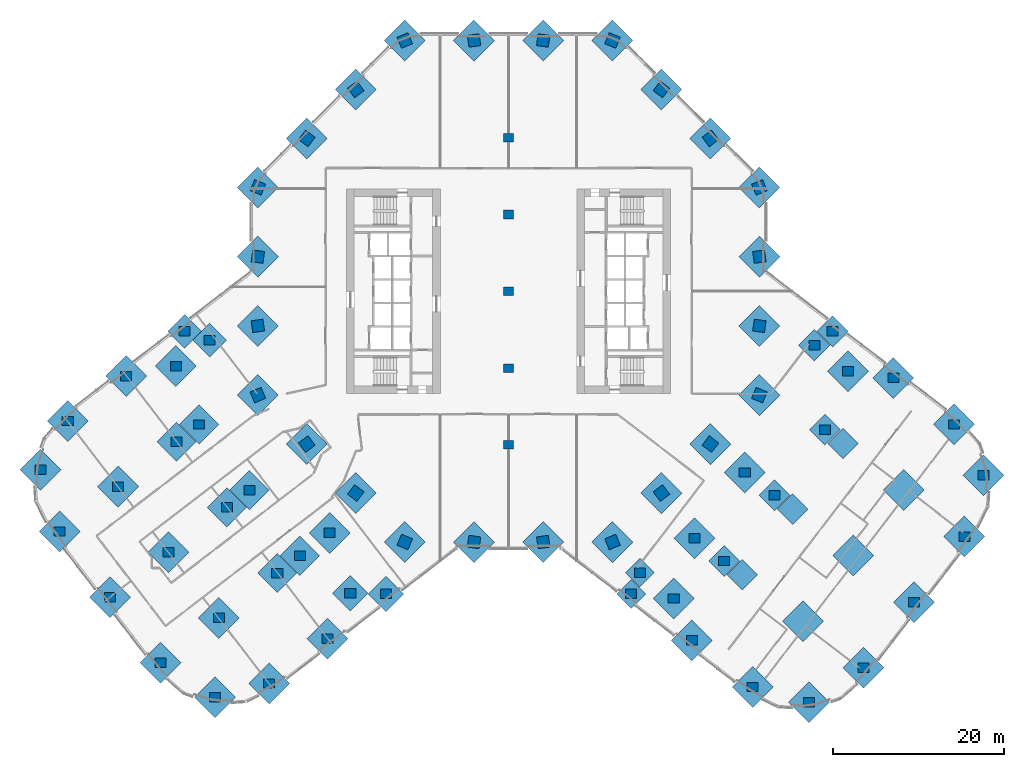
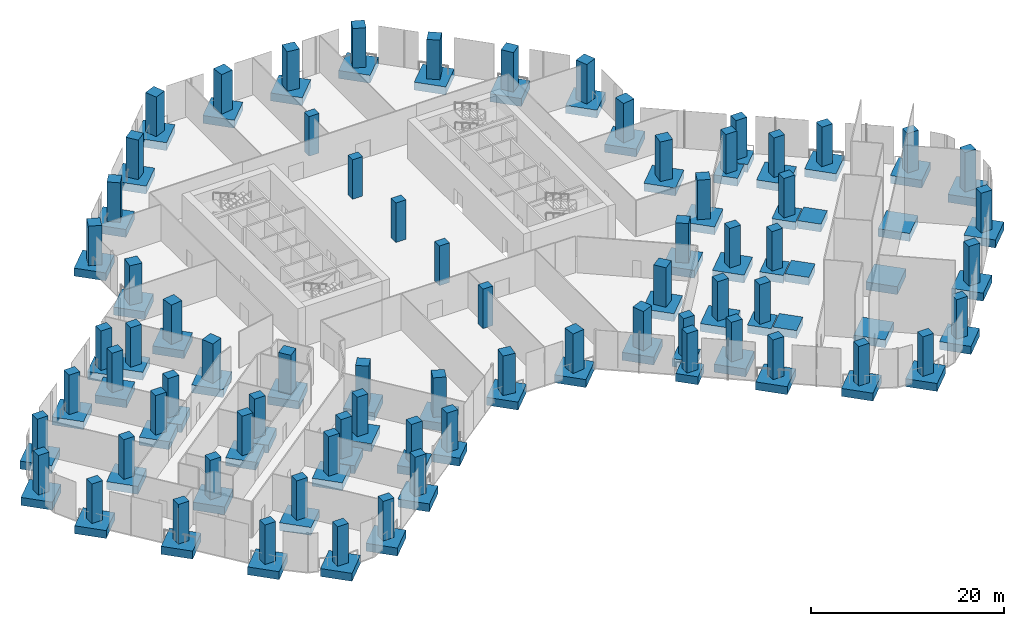
# One storey, part 1 of 27: 147 columns.
"""IFC4 building model written with IfcOpenShell, lengths in metres."""

from ifc_helpers import new_model, si_unit, direction, frame, origin, origin_2d, place, context, subcontext, project, spatial, rectangle, extrude, material, material_profile, profile_set, type_object, element, save


model = new_model("IFC4")

# Units and contexts
model_context = context("Model", 3, precision=1e-05, world=origin(), true_north=direction((0.0, 1.0)))
body_context = subcontext(model_context, "Body", "Model", "MODEL_VIEW")
ifc_project = project(units=[si_unit("LENGTHUNIT", "METRE"), si_unit("AREAUNIT", "SQUARE_METRE"), si_unit("VOLUMEUNIT", "CUBIC_METRE"), si_unit("PLANEANGLEUNIT", "RADIAN"), si_unit("MASSUNIT", "GRAM", prefix="KILO")], contexts=[model_context])

# Site, building, storey
site_placement = place(None, origin())
site = spatial("IfcSite", under=ifc_project, at=site_placement, CompositionType="ELEMENT")
building_placement = place(site_placement, origin())
building = spatial("IfcBuilding", under=site, at=building_placement, Name="Orlundy Tower", CompositionType="ELEMENT")
storey_placement = place(building_placement, frame((0.0, 0.0, 10.5)))
storey = spatial("IfcBuildingStorey", under=building, at=storey_placement, Name="L01", CompositionType="ELEMENT", Elevation=10.5)

# Columns
ifc_material_1 = material(Name="Concrete C80/95", Category="concrete")
ifc_material_profile_1 = material_profile(ifc_material_1, rectangle(XDim=1.199951171875, YDim=1.0, at=origin_2d()), Name="RC1200X1000")
ifc_profile_set_1 = profile_set([ifc_material_profile_1], Name="Concrete C80/95")
column_type_1 = type_object("IfcColumnType", Name="RC COLUMN RC1200X1000 C80/95", PredefinedType="COLUMN", material=ifc_profile_set_1)
for number, where, z_axis, x_axis, name in (
    (1, (0.0, -18.0, 0.0), (0.0, 0.0, 1.0), (1.0, 0.0, 0.0), "Column C-M1 L01"),
    (2, (0.0, -9.0, 0.0), (0.0, 0.0, 1.0), (1.0, 0.0, 0.0), "Column C-M2 L01"),
    (3, (0.0, 0.0, 0.0), (0.0, 0.0, 1.0), (1.0, 0.0, 0.0), "Column C-M3 L01"),
    (4, (0.0, 9.0, 0.0), (0.0, 0.0, 1.0), (1.0, 0.0, 0.0), "Column C-M4 L01"),
    (5, (0.0, 18.0, 0.0), (0.0, 0.0, 1.0), (1.0, 0.0, 0.0), "Column C-M5 L01"),
):
    element("IfcColumn", number, at=place(storey_placement, frame(where, z_axis=z_axis, x_axis=x_axis)), inside=storey, type_object=column_type_1, Name=name, PredefinedType="COLUMN", context=body_context, shape_type="SweptSolid", body=[
        extrude(rectangle(XDim=1.199951171875, YDim=1.0, at=origin_2d()), origin(), (0.0, 0.0, 1.0), 5.0),
    ])
ifc_material_2 = material(Name="Concrete C80/95", Category="concrete")
ifc_material_profile_2 = material_profile(ifc_material_2, rectangle(XDim=1.300048828125, YDim=1.10009765625, at=origin_2d()), Name="RC1300X1100")
ifc_profile_set_2 = profile_set([ifc_material_profile_2], Name="Concrete C80/95")
column_type_2 = type_object("IfcColumnType", Name="RC COLUMN RC1300X1100 C80/95", PredefinedType="COLUMN", material=ifc_profile_set_2)
for number, where, z_axis, x_axis, name in (
    (6, (14.37109375, -35.47998046875, 0.0), (0.0, 0.0, 1.0), (1.0, 0.0, 0.0), "Column C-A1-1 L01"),
    (7, (21.48388671875, -40.93896484375, 0.0), (0.0, 0.0, 1.0), (1.0, 0.0, 0.0), "Column C-A1-2 L01"),
    (8, (28.597900390625, -46.39697265625, 0.0), (0.0, 0.0, 1.0), (1.0, 0.0, 0.0), "Column C-A1-3 L01"),
    (9, (35.23095703125, -48.200927734375, 0.0), (0.0, 0.0, 1.0), (1.0, 0.0, 0.0), "Column C-A1-5 L01"),
    (10, (19.364013671875, -36.02587890625, 0.0), (0.0, 0.0, 1.0), (1.0, 0.0, 0.0), "Column C-A1-6 L01"),
    (11, (15.39697265625, -32.98193359375, 0.0), (0.0, 0.0, 1.0), (1.0, 0.0, 0.0), "Column C-A1-7 L01"),
    (12, (41.616943359375, -44.159912109375, 0.0), (0.0, 0.0, 1.0), (1.0, 0.0, 0.0), "Column C-A2-5 L01"),
    (13, (25.27392578125, -31.6201171875, 0.0), (0.0, 0.0, 1.0), (1.0, 0.0, 0.0), "Column C-A2-6 L01"),
    (14, (21.782958984375, -28.94091796875, 0.0), (0.0, 0.0, 1.0), (1.0, 0.0, 0.0), "Column C-A2-7 L01"),
    (15, (47.52197265625, -36.465087890625, 0.0), (0.0, 0.0, 1.0), (1.0, 0.0, 0.0), "Column C-A3-5 L01"),
    (16, (31.178955078125, -23.924072265625, 0.0), (0.0, 0.0, 1.0), (1.0, 0.0, 0.0), "Column C-A3-6 L01"),
    (17, (27.68798828125, -21.24609375, 0.0), (0.0, 0.0, 1.0), (1.0, 0.0, 0.0), "Column C-A3-7 L01"),
    (18, (53.427001953125, -28.76904296875, 0.0), (0.0, 0.0, 1.0), (1.0, 0.0, 0.0), "Column C-A4-5 L01"),
    (19, (37.083984375, -16.22900390625, 0.0), (0.0, 0.0, 1.0), (1.0, 0.0, 0.0), "Column C-A4-6 L01"),
    (20, (37.990966796875, -4.697998046875, 0.0), (0.0, 0.0, 1.0), (1.0, 0.0, 0.0), "Column C-A5-1 L01"),
    (21, (45.10400390625, -10.156982421875, 0.0), (0.0, 0.0, 1.0), (1.0, 0.0, 0.0), "Column C-A5-2 L01"),
    (22, (52.218017578125, -15.614990234375, 0.0), (0.0, 0.0, 1.0), (1.0, 0.0, 0.0), "Column C-A5-3 L01"),
    (23, (55.677001953125, -21.554931640625, 0.0), (0.0, 0.0, 1.0), (1.0, 0.0, 0.0), "Column C-A5-5 L01"),
    (24, (39.81005859375, -9.3798828125, 0.0), (0.0, 0.0, 1.0), (1.0, 0.0, 0.0), "Column C-A5-6 L01"),
    (25, (35.843017578125, -6.3359375, 0.0), (0.0, 0.0, 1.0), (1.0, 0.0, 0.0), "Column C-A5-7 L01"),
    (26, (-37.990966796875, -4.697998046875, 0.0), (0.0, 0.0, 1.0), (1.0, 0.0, 0.0), "Column C-B1-1 L01"),
    (27, (-44.840087890625, -9.9541015625, 0.0), (0.0, 0.0, 1.0), (1.0, 0.0, 0.0), "Column C-B1-2 L01"),
    (28, (-51.68701171875, -15.2119140625, 0.0), (0.0, 0.0, 1.0), (1.0, 0.0, 0.0), "Column C-B1-3 L01"),
    (29, (-54.884033203125, -20.946044921875, 0.0), (0.0, 0.0, 1.0), (1.0, 0.0, 0.0), "Column C-B1-5 L01"),
    (30, (-39.01611328125, -8.77099609375, 0.0), (0.0, 0.0, 1.0), (1.0, 0.0, 0.0), "Column C-B1-6 L01"),
    (31, (-35.050048828125, -5.72705078125, 0.0), (0.0, 0.0, 1.0), (1.0, 0.0, 0.0), "Column C-B1-7 L01"),
    (32, (-38.93505859375, -17.64892578125, 0.0), (0.0, 0.0, 1.0), (1.0, 0.0, 0.0), "Column C-B2-2 L01"),
    (33, (-45.783935546875, -22.905029296875, 0.0), (0.0, 0.0, 1.0), (1.0, 0.0, 0.0), "Column C-B2-3 L01"),
    (34, (-52.633056640625, -28.160888671875, 0.0), (0.0, 0.0, 1.0), (1.0, 0.0, 0.0), "Column C-B2-5 L01"),
    (35, (-36.2900390625, -15.6201171875, 0.0), (0.0, 0.0, 1.0), (1.0, 0.0, 0.0), "Column C-B2-6 L01"),
    (36, (-33.030029296875, -25.344970703125, 0.0), (0.0, 0.0, 1.0), (1.0, 0.0, 0.0), "Column C-B3-2 L01"),
    (37, (-39.87890625, -30.60009765625, 0.0), (0.0, 0.0, 1.0), (1.0, 0.0, 0.0), "Column C-B3-3 L01"),
    (38, (-46.72900390625, -35.85595703125, 0.0), (0.0, 0.0, 1.0), (1.0, 0.0, 0.0), "Column C-B3-5 L01"),
    (39, (-30.385009765625, -23.31591796875, 0.0), (0.0, 0.0, 1.0), (1.0, 0.0, 0.0), "Column C-B3-6 L01"),
    (40, (-27.125, -33.0400390625, 0.0), (0.0, 0.0, 1.0), (1.0, 0.0, 0.0), "Column C-B4-2 L01"),
    (41, (-33.97412109375, -38.2958984375, 0.0), (0.0, 0.0, 1.0), (1.0, 0.0, 0.0), "Column C-B4-3 L01"),
    (42, (-40.823974609375, -43.552001953125, 0.0), (0.0, 0.0, 1.0), (1.0, 0.0, 0.0), "Column C-B4-5 L01"),
    (43, (-24.47998046875, -31.010986328125, 0.0), (0.0, 0.0, 1.0), (1.0, 0.0, 0.0), "Column C-B4-6 L01"),
    (44, (-20.989990234375, -28.3330078125, 0.0), (0.0, 0.0, 1.0), (1.0, 0.0, 0.0), "Column C-B4-7 L01"),
    (45, (-14.37109375, -35.47998046875, 0.0), (0.0, 0.0, 1.0), (1.0, 0.0, 0.0), "Column C-B5-1 L01"),
    (46, (-21.219970703125, -40.736083984375, 0.0), (0.0, 0.0, 1.0), (1.0, 0.0, 0.0), "Column C-B5-2 L01"),
    (47, (-28.072021484375, -45.988037109375, 0.0), (0.0, 0.0, 1.0), (1.0, 0.0, 0.0), "Column C-B5-3 L01"),
    (48, (-34.43701171875, -47.592041015625, 0.0), (0.0, 0.0, 1.0), (1.0, 0.0, 0.0), "Column C-B5-5 L01"),
    (49, (-18.570068359375, -35.4169921875, 0.0), (0.0, 0.0, 1.0), (1.0, 0.0, 0.0), "Column C-B5-6 L01"),
):
    element("IfcColumn", number, at=place(storey_placement, frame(where, z_axis=z_axis, x_axis=x_axis)), inside=storey, type_object=column_type_2, Name=name, PredefinedType="COLUMN", context=body_context, shape_type="SweptSolid", body=[
        extrude(rectangle(XDim=1.300048828125, YDim=1.10009765625, at=origin_2d()), origin(), (0.0, 0.0, 1.0), 5.0),
    ])
ifc_material_3 = material(Name="Concrete C80/95", Category="concrete")
ifc_material_profile_3 = material_profile(ifc_material_3, rectangle(XDim=1.39990234375, YDim=1.39990234375, at=origin_2d()), Name="RC1400X1400")
ifc_profile_set_3 = profile_set([ifc_material_profile_3], Name="Concrete C80/95")
column_type_3 = type_object("IfcColumnType", Name="RC COLUMN RC1400X1400 C80/95", PredefinedType="COLUMN", material=ifc_profile_set_3)
for number, where, z_axis, x_axis, name in (
    (50, (29.39990234375, 12.177978515625, 0.0), (0.0, 0.0, 1.0), (0.923879532511, 0.382683432365, 0.0), "Column C-H01 L01"),
    (51, (29.39990234375, 4.05908203125, 0.0), (0.0, 0.0, 1.0), (0.990602789303, 0.136770295844, 0.0), "Column C-H02 L01"),
    (52, (29.39990234375, -4.05908203125, 0.0), (0.0, 0.0, 1.0), (0.990602789303, -0.136770295844, 0.0), "Column C-H03 L01"),
    (53, (29.39990234375, -12.177978515625, 0.0), (0.0, 0.0, 1.0), (0.923879532511, -0.382683432365, 0.0), "Column C-H04 L01"),
    (54, (23.658935546875, -17.9189453125, 0.0), (0.0, 0.0, 1.0), (0.797162615875, -0.603764659327, 0.0), "Column C-H05 L01"),
    (55, (17.9189453125, -23.658935546875, 0.0), (0.0, 0.0, 1.0), (0.603764659327, -0.797162615875, 0.0), "Column C-H06 L01"),
    (56, (12.177978515625, -29.39990234375, 0.0), (0.0, 0.0, 1.0), (0.382683432365, -0.923879532511, 0.0), "Column C-H07 L01"),
    (57, (4.05908203125, -29.39990234375, 0.0), (0.0, 0.0, 1.0), (0.136770295844, -0.990602789303, 0.0), "Column C-H08 L01"),
    (58, (-4.05908203125, -29.39990234375, 0.0), (0.0, 0.0, 1.0), (-0.136770295844, -0.990602789303, 0.0), "Column C-H09 L01"),
    (59, (-12.177978515625, -29.39990234375, 0.0), (0.0, 0.0, 1.0), (-0.382683432365, -0.923879532511, 0.0), "Column C-H10 L01"),
    (60, (-17.9189453125, -23.658935546875, 0.0), (0.0, 0.0, 1.0), (-0.603764659327, -0.797162615875, 0.0), "Column C-H11 L01"),
    (61, (-23.658935546875, -17.9189453125, 0.0), (0.0, 0.0, 1.0), (-0.797162615875, -0.603764659327, 0.0), "Column C-H12 L01"),
    (62, (-29.39990234375, -12.177978515625, 0.0), (0.0, 0.0, 1.0), (-0.923879532511, -0.382683432365, 0.0), "Column C-H13 L01"),
    (63, (-29.39990234375, -4.05908203125, 0.0), (0.0, 0.0, 1.0), (-0.990602789303, -0.136770295844, 0.0), "Column C-H14 L01"),
    (64, (-29.39990234375, 4.05908203125, 0.0), (0.0, 0.0, 1.0), (-0.990602789303, 0.136770295844, 0.0), "Column C-H15 L01"),
    (65, (-29.39990234375, 12.177978515625, 0.0), (0.0, 0.0, 1.0), (-0.923879532511, 0.382683432365, 0.0), "Column C-H16 L01"),
    (66, (-23.658935546875, 17.9189453125, 0.0), (0.0, 0.0, 1.0), (-0.797162615875, 0.603764659327, 0.0), "Column C-H17 L01"),
    (67, (-17.9189453125, 23.658935546875, 0.0), (0.0, 0.0, 1.0), (-0.603764659327, 0.797162615875, 0.0), "Column C-H18 L01"),
    (68, (-12.177978515625, 29.39990234375, 0.0), (0.0, 0.0, 1.0), (-0.382683432365, 0.923879532511, 0.0), "Column C-H19 L01"),
    (69, (-4.05908203125, 29.39990234375, 0.0), (0.0, 0.0, 1.0), (-0.136770295844, 0.990602789303, 0.0), "Column C-H20 L01"),
    (70, (4.05908203125, 29.39990234375, 0.0), (0.0, 0.0, 1.0), (0.136770295844, 0.990602789303, 0.0), "Column C-H21 L01"),
    (71, (12.177978515625, 29.39990234375, 0.0), (0.0, 0.0, 1.0), (0.382683432365, 0.923879532511, 0.0), "Column C-H22 L01"),
    (72, (17.9189453125, 23.658935546875, 0.0), (0.0, 0.0, 1.0), (0.603764659327, 0.797162615875, 0.0), "Column C-H23 L01"),
    (73, (23.658935546875, 17.9189453125, 0.0), (0.0, 0.0, 1.0), (0.797162615875, 0.603764659327, 0.0), "Column C-H24 L01"),
):
    element("IfcColumn", number, at=place(storey_placement, frame(where, z_axis=z_axis, x_axis=x_axis)), inside=storey, type_object=column_type_3, Name=name, PredefinedType="COLUMN", context=body_context, shape_type="SweptSolid", body=[
        extrude(rectangle(XDim=1.39990234375, YDim=1.39990234375, at=origin_2d()), origin(), (0.0, 0.0, 1.0), 5.0),
    ])
ifc_material_4 = material(Name="Concrete C80/95", Category="concrete")
ifc_material_profile_4 = material_profile(ifc_material_4, rectangle(XDim=2.39990234375, YDim=2.39990234375, at=origin_2d()), Name="RC2400X2400")
ifc_profile_set_4 = profile_set([ifc_material_profile_4], Name="Concrete C80/95")
column_type_4 = type_object("IfcColumnType", Name="RC COLUMN RC2400X2400 C80/95", PredefinedType="COLUMN", material=ifc_profile_set_4)
for number, where, z_axis, x_axis, name in (
    (74, (14.37109375, -35.47998046875, -1.0), (0.0, 0.0, 1.0), (0.707106781187, 0.707106781187, 0.0), "Stilt capital C-A1-1"),
    (75, (15.39697265625, -32.98193359375, -1.0), (0.0, 0.0, 1.0), (0.707106781187, 0.707106781187, 0.0), "Stilt capital C-A1-7"),
):
    element("IfcColumn", number, at=place(storey_placement, frame(where, z_axis=z_axis, x_axis=x_axis)), inside=storey, type_object=column_type_4, Name=name, PredefinedType="COLUMN", context=body_context, shape_type="SweptSolid", body=[
        extrude(rectangle(XDim=2.39990234375, YDim=2.39990234375, at=origin_2d()), origin(), (0.0, 0.0, 1.0), 1.0),
    ])
ifc_material_5 = material(Name="Concrete C80/95", Category="concrete")
ifc_material_profile_5 = material_profile(ifc_material_5, rectangle(XDim=2.550048828125, YDim=2.550048828125, at=origin_2d()), Name="RC2550X2550")
ifc_profile_set_5 = profile_set([ifc_material_profile_5], Name="Concrete C80/95")
column_type_5 = type_object("IfcColumnType", Name="RC COLUMN RC2550X2550 C80/95", PredefinedType="COLUMN", material=ifc_profile_set_5)
for number, where, z_axis, x_axis, name in (
    (76, (27.388916015625, -33.242919921875, -1.0), (0.0, 0.0, 1.0), (0.707106781187, 0.707106781187, 0.0), "Stilt capital C-A2-2"),
    (77, (25.27392578125, -31.6201171875, -1.0), (0.0, 0.0, 1.0), (0.707106781187, 0.707106781187, 0.0), "Stilt capital C-A2-6"),
    (78, (33.2939453125, -25.548095703125, -1.0), (0.0, 0.0, 1.0), (0.707106781187, 0.707106781187, 0.0), "Stilt capital C-A3-2"),
    (79, (31.178955078125, -23.924072265625, -1.0), (0.0, 0.0, 1.0), (0.707106781187, 0.707106781187, 0.0), "Stilt capital C-A3-6"),
    (80, (39.198974609375, -17.85205078125, -1.0), (0.0, 0.0, 1.0), (0.707106781187, 0.707106781187, 0.0), "Stilt capital C-A4-2"),
    (81, (37.083984375, -16.22900390625, -1.0), (0.0, 0.0, 1.0), (0.707106781187, 0.707106781187, 0.0), "Stilt capital C-A4-6"),
):
    element("IfcColumn", number, at=place(storey_placement, frame(where, z_axis=z_axis, x_axis=x_axis)), inside=storey, type_object=column_type_5, Name=name, PredefinedType="COLUMN", context=body_context, shape_type="SweptSolid", body=[
        extrude(rectangle(XDim=2.550048828125, YDim=2.550048828125, at=origin_2d()), origin(), (0.0, 0.0, 1.0), 1.0),
    ])
ifc_material_6 = material(Name="Concrete C80/95", Category="concrete")
ifc_material_profile_6 = material_profile(ifc_material_6, rectangle(XDim=2.60009765625, YDim=2.60009765625, at=origin_2d()), Name="RC2600X2600")
ifc_profile_set_6 = profile_set([ifc_material_profile_6], Name="Concrete C80/95")
column_type_6 = type_object("IfcColumnType", Name="RC COLUMN RC2600X2600 C80/95", PredefinedType="COLUMN", material=ifc_profile_set_6)
for number, where, z_axis, x_axis, name in (
    (82, (37.990966796875, -4.697998046875, -1.0), (0.0, 0.0, 1.0), (0.707106781187, 0.707106781187, 0.0), "Stilt capital C-A5-1"),
    (83, (35.843017578125, -6.3359375, -1.0), (0.0, 0.0, 1.0), (0.707106781187, 0.707106781187, 0.0), "Stilt capital C-A5-7"),
):
    element("IfcColumn", number, at=place(storey_placement, frame(where, z_axis=z_axis, x_axis=x_axis)), inside=storey, type_object=column_type_6, Name=name, PredefinedType="COLUMN", context=body_context, shape_type="SweptSolid", body=[
        extrude(rectangle(XDim=2.60009765625, YDim=2.60009765625, at=origin_2d()), origin(), (0.0, 0.0, 1.0), 1.0),
    ])
ifc_material_7 = material(Name="Concrete C80/95", Category="concrete")
ifc_material_profile_7 = material_profile(ifc_material_7, rectangle(XDim=2.800048828125, YDim=2.800048828125, at=origin_2d()), Name="RC2800X2800")
ifc_profile_set_7 = profile_set([ifc_material_profile_7], Name="Concrete C80/95")
column_type_7 = type_object("IfcColumnType", Name="RC COLUMN RC2800X2800 C80/95", PredefinedType="COLUMN", material=ifc_profile_set_7)
for number, where, z_axis, x_axis, name in (
    (84, (-37.990966796875, -4.697998046875, -1.0), (0.0, 0.0, 1.0), (0.707106781187, 0.707106781187, 0.0), "Stilt capital C-B1-1"),
    (85, (-35.050048828125, -5.72705078125, -1.0), (0.0, 0.0, 1.0), (0.707106781187, 0.707106781187, 0.0), "Stilt capital C-B1-7"),
):
    element("IfcColumn", number, at=place(storey_placement, frame(where, z_axis=z_axis, x_axis=x_axis)), inside=storey, type_object=column_type_7, Name=name, PredefinedType="COLUMN", context=body_context, shape_type="SweptSolid", body=[
        extrude(rectangle(XDim=2.800048828125, YDim=2.800048828125, at=origin_2d()), origin(), (0.0, 0.0, 1.0), 1.0),
    ])
ifc_material_8 = material(Name="Concrete C80/95", Category="concrete")
ifc_material_profile_8 = material_profile(ifc_material_8, rectangle(XDim=2.949951171875, YDim=2.949951171875, at=origin_2d()), Name="RC2950X2950")
ifc_profile_set_8 = profile_set([ifc_material_profile_8], Name="Concrete C80/95")
column_type_8 = type_object("IfcColumnType", Name="RC COLUMN RC2950X2950 C80/95", PredefinedType="COLUMN", material=ifc_profile_set_8)
for number, where, z_axis, x_axis, name in (
    (86, (-14.37109375, -35.47998046875, -1.0), (0.0, 0.0, 1.0), (0.707106781187, 0.707106781187, 0.0), "Stilt capital C-B5-1"),
    (87, (-18.570068359375, -35.4169921875, -1.0), (0.0, 0.0, 1.0), (0.707106781187, 0.707106781187, 0.0), "Stilt capital C-B5-6"),
):
    element("IfcColumn", number, at=place(storey_placement, frame(where, z_axis=z_axis, x_axis=x_axis)), inside=storey, type_object=column_type_8, Name=name, PredefinedType="COLUMN", context=body_context, shape_type="SweptSolid", body=[
        extrude(rectangle(XDim=2.949951171875, YDim=2.949951171875, at=origin_2d()), origin(), (0.0, 0.0, 1.0), 1.0),
    ])
ifc_material_9 = material(Name="Concrete C80/95", Category="concrete")
ifc_material_profile_9 = material_profile(ifc_material_9, rectangle(XDim=3.25, YDim=3.25, at=origin_2d()), Name="RC3250X3250")
ifc_profile_set_9 = profile_set([ifc_material_profile_9], Name="Concrete C80/95")
column_type_9 = type_object("IfcColumnType", Name="RC COLUMN RC3250X3250 C80/95", PredefinedType="COLUMN", material=ifc_profile_set_9)
for number, where, z_axis, x_axis, name in (
    (88, (-38.93505859375, -17.64892578125, -1.0), (0.0, 0.0, 1.0), (0.707106781187, 0.707106781187, 0.0), "Stilt capital C-B2-2"),
    (89, (-36.2900390625, -15.6201171875, -1.0), (0.0, 0.0, 1.0), (0.707106781187, 0.707106781187, 0.0), "Stilt capital C-B2-6"),
    (90, (-33.030029296875, -25.344970703125, -1.0), (0.0, 0.0, 1.0), (0.707106781187, 0.707106781187, 0.0), "Stilt capital C-B3-2"),
    (91, (-30.385009765625, -23.31591796875, -1.0), (0.0, 0.0, 1.0), (0.707106781187, 0.707106781187, 0.0), "Stilt capital C-B3-6"),
    (92, (-27.125, -33.0400390625, -1.0), (0.0, 0.0, 1.0), (0.707106781187, 0.707106781187, 0.0), "Stilt capital C-B4-2"),
    (93, (-24.47998046875, -31.010986328125, -1.0), (0.0, 0.0, 1.0), (0.707106781187, 0.707106781187, 0.0), "Stilt capital C-B4-6"),
):
    element("IfcColumn", number, at=place(storey_placement, frame(where, z_axis=z_axis, x_axis=x_axis)), inside=storey, type_object=column_type_9, Name=name, PredefinedType="COLUMN", context=body_context, shape_type="SweptSolid", body=[
        extrude(rectangle(XDim=3.25, YDim=3.25, at=origin_2d()), origin(), (0.0, 0.0, 1.0), 1.0),
    ])
ifc_material_10 = material(Name="Concrete C80/95", Category="concrete")
ifc_material_profile_10 = material_profile(ifc_material_10, rectangle(XDim=3.39990234375, YDim=3.39990234375, at=origin_2d()), Name="RC3400X3400")
ifc_profile_set_10 = profile_set([ifc_material_profile_10], Name="Concrete C80/95")
column_type_10 = type_object("IfcColumnType", Name="RC COLUMN RC3400X3400 C80/95", PredefinedType="COLUMN", material=ifc_profile_set_10)
for number, where, z_axis, x_axis, name in (
    (94, (21.48388671875, -40.93896484375, -1.0), (0.0, 0.0, 1.0), (0.707106781187, 0.707106781187, 0.0), "Stilt capital C-A1-2"),
    (95, (28.597900390625, -46.39697265625, -1.0), (0.0, 0.0, 1.0), (0.707106781187, 0.707106781187, 0.0), "Stilt capital C-A1-3"),
    (96, (35.23095703125, -48.200927734375, -1.0), (0.0, 0.0, 1.0), (0.707106781187, 0.707106781187, 0.0), "Stilt capital C-A1-5"),
    (97, (19.364013671875, -36.02587890625, -1.0), (0.0, 0.0, 1.0), (0.707106781187, 0.707106781187, 0.0), "Stilt capital C-A1-6"),
    (98, (34.5029296875, -38.701904296875, -1.0), (0.0, 0.0, 1.0), (0.707106781187, 0.707106781187, 0.0), "Stilt capital C-A2-3"),
    (99, (41.616943359375, -44.159912109375, -1.0), (0.0, 0.0, 1.0), (0.707106781187, 0.707106781187, 0.0), "Stilt capital C-A2-5"),
    (100, (21.782958984375, -28.94091796875, -1.0), (0.0, 0.0, 1.0), (0.707106781187, 0.707106781187, 0.0), "Stilt capital C-A2-7"),
    (101, (40.407958984375, -31.006103515625, -1.0), (0.0, 0.0, 1.0), (0.707106781187, 0.707106781187, 0.0), "Stilt capital C-A3-3"),
    (102, (47.52197265625, -36.465087890625, -1.0), (0.0, 0.0, 1.0), (0.707106781187, 0.707106781187, 0.0), "Stilt capital C-A3-5"),
    (103, (27.68798828125, -21.24609375, -1.0), (0.0, 0.0, 1.0), (0.707106781187, 0.707106781187, 0.0), "Stilt capital C-A3-7"),
    (104, (46.31298828125, -23.31103515625, -1.0), (0.0, 0.0, 1.0), (0.707106781187, 0.707106781187, 0.0), "Stilt capital C-A4-3"),
    (105, (53.427001953125, -28.76904296875, -1.0), (0.0, 0.0, 1.0), (0.707106781187, 0.707106781187, 0.0), "Stilt capital C-A4-5"),
    (106, (45.10400390625, -10.156982421875, -1.0), (0.0, 0.0, 1.0), (0.707106781187, 0.707106781187, 0.0), "Stilt capital C-A5-2"),
    (107, (52.218017578125, -15.614990234375, -1.0), (0.0, 0.0, 1.0), (0.707106781187, 0.707106781187, 0.0), "Stilt capital C-A5-3"),
    (108, (55.677001953125, -21.554931640625, -1.0), (0.0, 0.0, 1.0), (0.707106781187, 0.707106781187, 0.0), "Stilt capital C-A5-5"),
    (109, (39.81005859375, -9.3798828125, -1.0), (0.0, 0.0, 1.0), (0.707106781187, 0.707106781187, 0.0), "Stilt capital C-A5-6"),
    (110, (-44.840087890625, -9.9541015625, -1.0), (0.0, 0.0, 1.0), (0.707106781187, 0.707106781187, 0.0), "Stilt capital C-B1-2"),
    (111, (-51.68701171875, -15.2119140625, -1.0), (0.0, 0.0, 1.0), (0.707106781187, 0.707106781187, 0.0), "Stilt capital C-B1-3"),
    (112, (-54.884033203125, -20.946044921875, -1.0), (0.0, 0.0, 1.0), (0.707106781187, 0.707106781187, 0.0), "Stilt capital C-B1-5"),
    (113, (-39.01611328125, -8.77099609375, -1.0), (0.0, 0.0, 1.0), (0.707106781187, 0.707106781187, 0.0), "Stilt capital C-B1-6"),
    (114, (-45.783935546875, -22.905029296875, -1.0), (0.0, 0.0, 1.0), (0.707106781187, 0.707106781187, 0.0), "Stilt capital C-B2-3"),
    (115, (-52.633056640625, -28.160888671875, -1.0), (0.0, 0.0, 1.0), (0.707106781187, 0.707106781187, 0.0), "Stilt capital C-B2-5"),
    (116, (-39.87890625, -30.60009765625, -1.0), (0.0, 0.0, 1.0), (0.707106781187, 0.707106781187, 0.0), "Stilt capital C-B3-3"),
    (117, (-46.72900390625, -35.85595703125, -1.0), (0.0, 0.0, 1.0), (0.707106781187, 0.707106781187, 0.0), "Stilt capital C-B3-5"),
    (118, (-33.97412109375, -38.2958984375, -1.0), (0.0, 0.0, 1.0), (0.707106781187, 0.707106781187, 0.0), "Stilt capital C-B4-3"),
    (119, (-40.823974609375, -43.552001953125, -1.0), (0.0, 0.0, 1.0), (0.707106781187, 0.707106781187, 0.0), "Stilt capital C-B4-5"),
    (120, (-20.989990234375, -28.3330078125, -1.0), (0.0, 0.0, 1.0), (0.707106781187, 0.707106781187, 0.0), "Stilt capital C-B4-7"),
    (121, (-21.219970703125, -40.736083984375, -1.0), (0.0, 0.0, 1.0), (0.707106781187, 0.707106781187, 0.0), "Stilt capital C-B5-2"),
    (122, (-28.072021484375, -45.988037109375, -1.0), (0.0, 0.0, 1.0), (0.707106781187, 0.707106781187, 0.0), "Stilt capital C-B5-3"),
    (123, (-34.43701171875, -47.592041015625, -1.0), (0.0, 0.0, 1.0), (0.707106781187, 0.707106781187, 0.0), "Stilt capital C-B5-5"),
    (124, (29.39990234375, 12.177978515625, -1.0), (0.0, 0.0, 1.0), (0.707106781187, 0.707106781187, 0.0), "Stilt capital C-H01"),
    (125, (29.39990234375, 4.05908203125, -1.0), (0.0, 0.0, 1.0), (0.707106781187, 0.707106781187, 0.0), "Stilt capital C-H02"),
    (126, (29.39990234375, -4.05908203125, -1.0), (0.0, 0.0, 1.0), (0.707106781187, 0.707106781187, 0.0), "Stilt capital C-H03"),
    (127, (29.39990234375, -12.177978515625, -1.0), (0.0, 0.0, 1.0), (0.707106781187, 0.707106781187, 0.0), "Stilt capital C-H04"),
    (128, (23.658935546875, -17.9189453125, -1.0), (0.0, 0.0, 1.0), (0.707106781187, 0.707106781187, 0.0), "Stilt capital C-H05"),
    (129, (17.9189453125, -23.658935546875, -1.0), (0.0, 0.0, 1.0), (0.707106781187, 0.707106781187, 0.0), "Stilt capital C-H06"),
    (130, (12.177978515625, -29.39990234375, -1.0), (0.0, 0.0, 1.0), (0.707106781187, 0.707106781187, 0.0), "Stilt capital C-H07"),
    (131, (4.05908203125, -29.39990234375, -1.0), (0.0, 0.0, 1.0), (0.707106781187, 0.707106781187, 0.0), "Stilt capital C-H08"),
    (132, (-4.05908203125, -29.39990234375, -1.0), (0.0, 0.0, 1.0), (0.707106781187, 0.707106781187, 0.0), "Stilt capital C-H09"),
    (133, (-12.177978515625, -29.39990234375, -1.0), (0.0, 0.0, 1.0), (0.707106781187, 0.707106781187, 0.0), "Stilt capital C-H10"),
    (134, (-17.9189453125, -23.658935546875, -1.0), (0.0, 0.0, 1.0), (0.707106781187, 0.707106781187, 0.0), "Stilt capital C-H11"),
    (135, (-23.658935546875, -17.9189453125, -1.0), (0.0, 0.0, 1.0), (0.707106781187, 0.707106781187, 0.0), "Stilt capital C-H12"),
    (136, (-29.39990234375, -12.177978515625, -1.0), (0.0, 0.0, 1.0), (0.707106781187, 0.707106781187, 0.0), "Stilt capital C-H13"),
    (137, (-29.39990234375, -4.05908203125, -1.0), (0.0, 0.0, 1.0), (0.707106781187, 0.707106781187, 0.0), "Stilt capital C-H14"),
    (138, (-29.39990234375, 4.05908203125, -1.0), (0.0, 0.0, 1.0), (0.707106781187, 0.707106781187, 0.0), "Stilt capital C-H15"),
    (139, (-29.39990234375, 12.177978515625, -1.0), (0.0, 0.0, 1.0), (0.707106781187, 0.707106781187, 0.0), "Stilt capital C-H16"),
    (140, (-23.658935546875, 17.9189453125, -1.0), (0.0, 0.0, 1.0), (0.707106781187, 0.707106781187, 0.0), "Stilt capital C-H17"),
    (141, (-17.9189453125, 23.658935546875, -1.0), (0.0, 0.0, 1.0), (0.707106781187, 0.707106781187, 0.0), "Stilt capital C-H18"),
    (142, (-12.177978515625, 29.39990234375, -1.0), (0.0, 0.0, 1.0), (0.707106781187, 0.707106781187, 0.0), "Stilt capital C-H19"),
    (143, (-4.05908203125, 29.39990234375, -1.0), (0.0, 0.0, 1.0), (0.707106781187, 0.707106781187, 0.0), "Stilt capital C-H20"),
    (144, (4.05908203125, 29.39990234375, -1.0), (0.0, 0.0, 1.0), (0.707106781187, 0.707106781187, 0.0), "Stilt capital C-H21"),
    (145, (12.177978515625, 29.39990234375, -1.0), (0.0, 0.0, 1.0), (0.707106781187, 0.707106781187, 0.0), "Stilt capital C-H22"),
    (146, (17.9189453125, 23.658935546875, -1.0), (0.0, 0.0, 1.0), (0.707106781187, 0.707106781187, 0.0), "Stilt capital C-H23"),
    (147, (23.658935546875, 17.9189453125, -1.0), (0.0, 0.0, 1.0), (0.707106781187, 0.707106781187, 0.0), "Stilt capital C-H24"),
):
    element("IfcColumn", number, at=place(storey_placement, frame(where, z_axis=z_axis, x_axis=x_axis)), inside=storey, type_object=column_type_10, Name=name, PredefinedType="COLUMN", context=body_context, shape_type="SweptSolid", body=[
        extrude(rectangle(XDim=3.39990234375, YDim=3.39990234375, at=origin_2d()), origin(), (0.0, 0.0, 1.0), 1.0),
    ])

save(model, "model.ifc")
